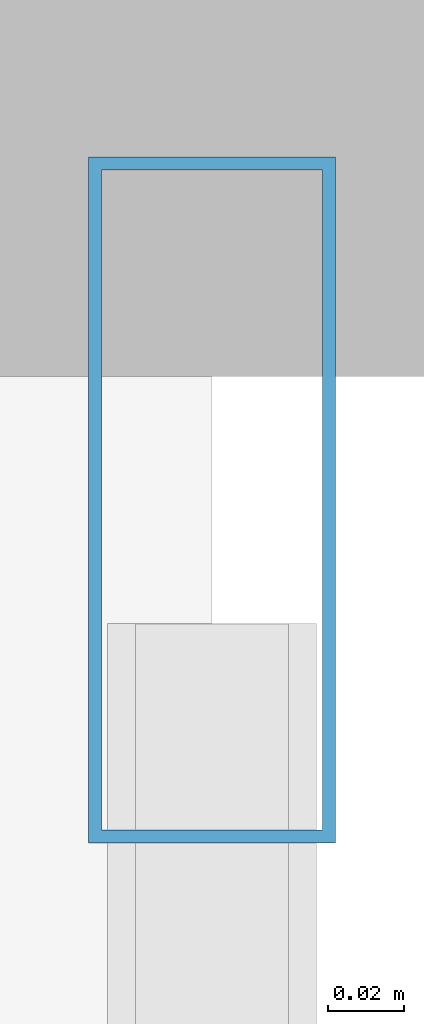
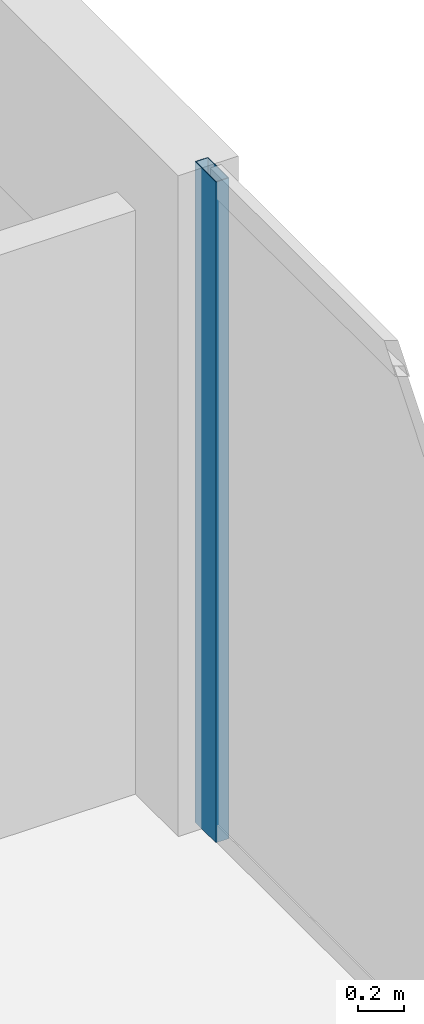
# One storey, part 21 of 33: 1 member, 1 element without a shape of its own.
"""IFC4 building model written with IfcOpenShell, lengths in metres."""

from ifc_helpers import new_model, si_unit, direction, frame, origin, origin_2d, place, context, subcontext, project, spatial, hollow_rectangle, extrude, material, layer, layer_set, material_profile, profile_set, type_object, element, aggregate, save


model = new_model("IFC4")

# Units and contexts
model_context = context("Model", 3, precision=1e-05, world=origin(), true_north=direction((0.0, 1.0)))
body_context = subcontext(model_context, "Body", "Model", "MODEL_VIEW")
ifc_project = project(units=[si_unit("LENGTHUNIT", "METRE"), si_unit("AREAUNIT", "SQUARE_METRE"), si_unit("VOLUMEUNIT", "CUBIC_METRE"), si_unit("PLANEANGLEUNIT", "RADIAN"), si_unit("MASSUNIT", "GRAM", prefix="KILO")], contexts=[model_context])

# Site, building, storey
site_placement = place(None, origin())
site = spatial("IfcSite", under=ifc_project, at=site_placement, CompositionType="ELEMENT")
building_placement = place(site_placement, origin())
building = spatial("IfcBuilding", under=site, at=building_placement, Name="Zuhayl Quay Hotel", CompositionType="ELEMENT")
storey_placement = place(building_placement, frame((0.0, 0.0, 229.89990234375)))
storey = spatial("IfcBuildingStorey", under=building, at=storey_placement, Name="L58", CompositionType="ELEMENT", Elevation=229.89990234375)

# Curtain wall, member
ifc_material_1 = material(Name="Anodised Aluminium 6063-T6", Category="aluminium")
ifc_layer = layer(ifc_material_1, 0.175048828125, Name="Anodised Aluminium 6063-T6", Category="aluminium")
ifc_layer_set = layer_set([ifc_layer], Name="Anodised Aluminium 6063-T6")
curtain_wall_type = type_object("IfcCurtainWallType", Name="CW_SYS_Z3", PredefinedType="USERDEFINED", material=ifc_layer_set)
curtain_wall_placement = place(storey_placement, origin())
curtain_wall = element("IfcCurtainWall", 1, at=curtain_wall_placement, inside=storey, type_object=curtain_wall_type, Name="L58 Curtain Wall ENV_L58_E11_CW1", ObjectType="UNITISED CURTAIN WALL", PredefinedType="USERDEFINED")
ifc_material_2 = material(Name="Black-anodised aluminium 6063-T6", Category="aluminium")
ifc_material_profile = material_profile(ifc_material_2, hollow_rectangle(XDim=0.06494140625, YDim=0.179931640625, WallThickness=0.00341796875, at=origin_2d()), Name="ALU180X65")
ifc_profile_set = profile_set([ifc_material_profile], Name="Black-anodised aluminium 6063-T6")
member_type = type_object("IfcMemberType", Name="MB_CW_MUL_180", PredefinedType="MULLION", material=ifc_profile_set)
member_placement = place(storey_placement, frame((22.10009765625, 24.517578125, 0.0), z_axis=(0.0, 0.0, 1.0), x_axis=(1.0, 0.0, 0.0)))
member = element("IfcMember", 2, at=member_placement, type_object=member_type, Name="CW-Z3 mullion 1", PredefinedType="MULLION", context=body_context, shape_type="SweptSolid", body=[
    extrude(hollow_rectangle(XDim=0.06494140625, YDim=0.179931640625, WallThickness=0.00341796875, at=origin_2d()), origin(), (0.0, 0.0, 1.0), 3.489990234375),
])
aggregate(curtain_wall, [member])

save(model, "model.ifc")
